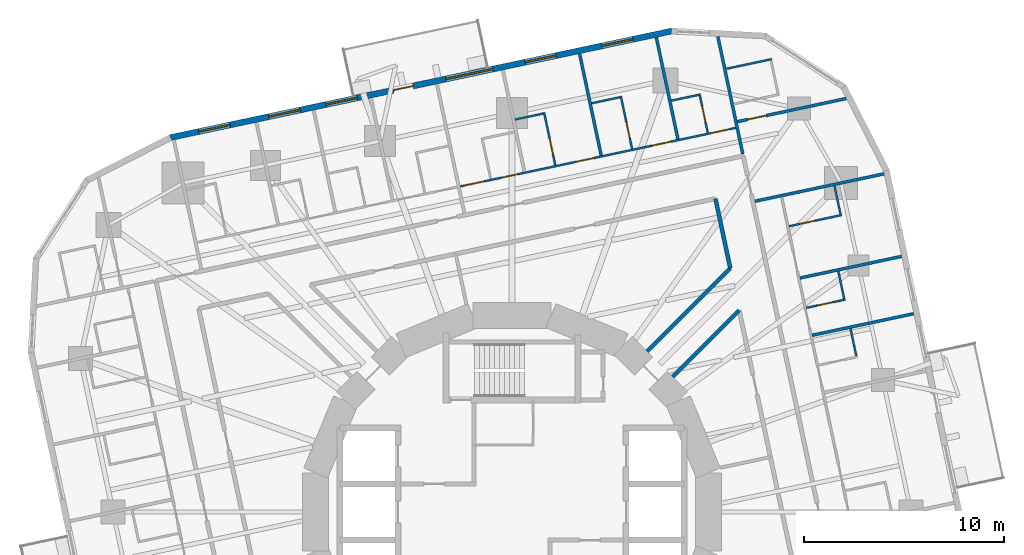
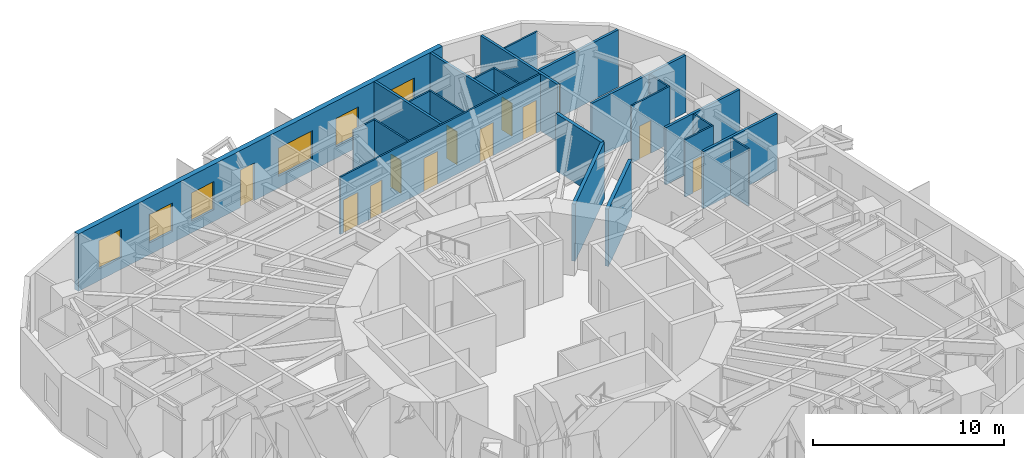
# One storey, part 11 of 14: 24 walls, 12 doors, 6 windows, 18 openings.
"""IFC4 building model written with IfcOpenShell, lengths in metres."""

import ifcopenshell
import ifcopenshell.guid

model = None  # the IFC model being written
_history = None  # IfcOwnerHistory: only IFC2X3 demands one
_inside = {}  # id of a spatial element -> (the spatial element, [elements in it])
_under = {}  # id of a project, library or spatial element -> (it, [spatial elements below it])
_declared = {}  # id of a project -> (the project, [libraries it declares])
_typed = {}  # id of a type object -> (the type object, [elements of that type])
_made_of = {}  # id of a material, layer set ... -> (it, [elements and type objects made of it])


def new_model(schema):
    """Start an empty IFC model of exactly this schema.

    Asked for "IFC4X3", IfcOpenShell would pick the latest addendum, in which some entities
    have other attributes; the version numbers below select the first issue.
    IFC2X3 requires an IfcOwnerHistory on every rooted entity: one is made here for all.
    """
    global model, _history
    if schema == "IFC4X3":
        model = ifcopenshell.file(schema_version=(4, 3, 0, 0))
    else:
        model = ifcopenshell.file(schema=schema)
    _inside.clear()
    _under.clear()
    _declared.clear()
    _typed.clear()
    _made_of.clear()
    _history = None
    if model.schema == "IFC2X3":
        org = make("IfcOrganization", Name="unknown")
        user = make(
            "IfcPersonAndOrganization",
            ThePerson=make("IfcPerson", FamilyName="unknown"),
            TheOrganization=org,
        )
        app = make(
            "IfcApplication",
            ApplicationDeveloper=org,
            Version="unknown",
            ApplicationFullName="unknown",
            ApplicationIdentifier="unknown",
        )
        _history = make(
            "IfcOwnerHistory",
            OwningUser=user,
            OwningApplication=app,
            ChangeAction="ADDED",
            CreationDate=0,
        )
    return model


def make(cls, **values):
    """One entity of the class cls with the attributes given. An attribute that is None is left unset."""
    return model.create_entity(
        cls, **{name: value for name, value in values.items() if value is not None}
    )


def rooted(cls, **values):
    """An entity with a GlobalId (a new one), such as an element, a storey or a relation."""
    return make(cls, GlobalId=ifcopenshell.guid.new(), OwnerHistory=_history, **values)


def si_unit(unit_type, name, prefix=None):
    """IfcSIUnit, for example si_unit("LENGTHUNIT", "METRE", prefix="MILLI")."""
    return make("IfcSIUnit", UnitType=unit_type, Prefix=prefix, Name=name)


def assignment(units):
    """IfcUnitAssignment: the units of a project."""
    return None if units is None else make("IfcUnitAssignment", Units=units)


def point(xyz):
    """IfcCartesianPoint."""
    return None if xyz is None else make("IfcCartesianPoint", Coordinates=xyz)


def direction(xyz):
    """IfcDirection."""
    return None if xyz is None else make("IfcDirection", DirectionRatios=xyz)


def frame(location, z_axis=None, x_axis=None):
    """IfcAxis2Placement3D, a coordinate frame: its origin and axes. An axis left out is left unset."""
    return make(
        "IfcAxis2Placement3D",
        Location=point(location),
        Axis=direction(z_axis),
        RefDirection=direction(x_axis),
    )


def frame_2d(location, x_axis=None):
    """IfcAxis2Placement2D, a coordinate frame in the plane: its origin and x axis."""
    return make(
        "IfcAxis2Placement2D", Location=point(location), RefDirection=direction(x_axis)
    )


def origin():
    """The frame at (0, 0, 0) with its axes left unset."""
    return frame((0.0, 0.0, 0.0))


def place(relative_to, where):
    """IfcLocalPlacement: puts the frame where relative to a parent placement (None: the world)."""
    return make(
        "IfcLocalPlacement", PlacementRelTo=relative_to, RelativePlacement=where
    )


def context(
    kind, dimensions, precision=None, world=None, true_north=None, identifier=None
):
    """IfcGeometricRepresentationContext, for example the 3D "Model" context."""
    return make(
        "IfcGeometricRepresentationContext",
        ContextIdentifier=identifier,
        ContextType=kind,
        CoordinateSpaceDimension=dimensions,
        Precision=precision,
        WorldCoordinateSystem=world,
        TrueNorth=true_north,
    )


def subcontext(parent, identifier, kind, view, scale=None):
    """IfcGeometricRepresentationSubContext, for example "Body" below "Model"."""
    return make(
        "IfcGeometricRepresentationSubContext",
        ContextIdentifier=identifier,
        ContextType=kind,
        ParentContext=parent,
        TargetScale=scale,
        TargetView=view,
    )


def project(units=None, contexts=None):
    """IfcProject with its units and contexts."""
    return rooted(
        "IfcProject",
        Name="project",
        RepresentationContexts=contexts,
        UnitsInContext=assignment(units),
    )


def spatial(cls, under=None, at=None, **own):
    """A site, building, storey or space (cls), placed at a placement, below another one or the project."""
    s = rooted(cls, ObjectPlacement=at, **own)
    if under is not None:
        _under.setdefault(under.id(), (under, []))[1].append(s)
    return s


def profile(cls, at=None, kind="AREA", **sizes):
    """A parametric profile (cls). Its sizes go by their IFC names, for example OverallWidth=200.0."""
    return make(cls, ProfileType=kind, Position=at, **sizes)


def rectangle(**sizes):
    """IfcRectangleProfileDef."""
    return profile("IfcRectangleProfileDef", **sizes)


def extrude(swept, where, along, depth):
    """IfcExtrudedAreaSolid: the profile swept, set in the frame where, extruded along a direction by depth."""
    return make(
        "IfcExtrudedAreaSolid",
        SweptArea=swept,
        Position=where,
        ExtrudedDirection=direction(along),
        Depth=depth,
    )


def shape(context_of_items, identifier, shape_type, items):
    """IfcShapeRepresentation: the items that make up one representation, for example the "Body"."""
    return make(
        "IfcShapeRepresentation",
        ContextOfItems=context_of_items,
        RepresentationIdentifier=identifier,
        RepresentationType=shape_type,
        Items=items,
    )


def material(Name=None, Category=None):
    """IfcMaterial."""
    return make("IfcMaterial", Name=Name, Category=Category)


def layer(
    of_material, thickness, ventilated=None, Name=None, Category=None, Priority=None
):
    """IfcMaterialLayer: one layer of a wall or slab, of a material (None: an air gap)."""
    return make(
        "IfcMaterialLayer",
        Material=of_material,
        LayerThickness=thickness,
        IsVentilated=ventilated,
        Name=Name,
        Category=Category,
        Priority=Priority,
    )


def layer_set(layers, Name=None):
    """IfcMaterialLayerSet."""
    return make("IfcMaterialLayerSet", MaterialLayers=layers, LayerSetName=Name)


def made_of(thing, what):
    """Note that an element or type object is made of a material, layer set ...; save() writes the relation."""
    if what is not None:
        _made_of.setdefault(what.id(), (what, []))[1].append(thing)
    return thing


def type_object(cls, material=None, **own):
    """A type object (cls), such as IfcWallType, which elements share."""
    return made_of(rooted(cls, **own), material)


def element(
    cls,
    number,
    at=None,
    inside=None,
    cuts=None,
    type_object=None,
    material=None,
    context=None,
    identifier="Body",
    shape_type=None,
    held_by="IfcProductDefinitionShape",
    body=None,
    shapes=None,
    **own,
):
    """One element of the class cls, such as IfcWall. Its Tag is "e" and its number.

    at: its placement. inside: the storey or other place that contains it. cuts: it is an
    opening in that element (IfcRelVoidsElement). A single representation is given by context,
    identifier, shape_type and body (its items); several are given by shapes. held_by: the class
    of the entity that holds the representations. save() writes the other relations.
    """
    e = rooted(cls, Tag="e%d" % number, ObjectPlacement=at, **own)
    if body is not None:
        shapes = [shape(context, identifier, shape_type, body)]
    if shapes is not None:
        e.Representation = make(held_by, Representations=shapes)
    if inside is not None:
        _inside.setdefault(inside.id(), (inside, []))[1].append(e)
    if cuts is not None:
        rooted(
            "IfcRelVoidsElement", RelatingBuildingElement=cuts, RelatedOpeningElement=e
        )
    if type_object is not None:
        _typed.setdefault(type_object.id(), (type_object, []))[1].append(e)
    return made_of(e, material)


def fill(opening, filler):
    """IfcRelFillsElement: the door or window that sits in an opening."""
    return rooted(
        "IfcRelFillsElement",
        RelatingOpeningElement=opening,
        RelatedBuildingElement=filler,
    )


def aggregate(whole, parts):
    """IfcRelAggregates: a whole, such as a stair, and the parts it consists of."""
    return rooted("IfcRelAggregates", RelatingObject=whole, RelatedObjects=parts)


def save(model, path):
    """Write the relations noted so far, then the file.

    IfcRelAggregates (storeys below a building ...), IfcRelContainedInSpatialStructure (elements
    in a storey), IfcRelDefinesByType, IfcRelAssociatesMaterial and IfcRelDeclares: one each for
    every whole, place, type object, material and project.
    """
    for whole, parts in _under.values():
        aggregate(whole, parts)
    for where, things in _inside.values():
        rooted(
            "IfcRelContainedInSpatialStructure",
            RelatedElements=things,
            RelatingStructure=where,
        )
    for kind, things in _typed.values():
        rooted("IfcRelDefinesByType", RelatedObjects=things, RelatingType=kind)
    for what, things in _made_of.values():
        rooted("IfcRelAssociatesMaterial", RelatedObjects=things, RelatingMaterial=what)
    for by, libraries in _declared.values():
        rooted("IfcRelDeclares", RelatingContext=by, RelatedDefinitions=libraries)
    model.write(path)


model = new_model("IFC4")

# Units and contexts
model_context = context("Model", 3, precision=1e-05, world=origin(), true_north=direction((0.0, 1.0)))
body_context = subcontext(model_context, "Body", "Model", "MODEL_VIEW")
ifc_project = project(units=[si_unit("LENGTHUNIT", "METRE"), si_unit("AREAUNIT", "SQUARE_METRE"), si_unit("VOLUMEUNIT", "CUBIC_METRE"), si_unit("PLANEANGLEUNIT", "RADIAN"), si_unit("MASSUNIT", "GRAM", prefix="KILO")], contexts=[model_context])

# Site, building, storey
site_placement = place(None, origin())
site = spatial("IfcSite", under=ifc_project, at=site_placement, CompositionType="ELEMENT")
building_placement = place(site_placement, origin())
building = spatial("IfcBuilding", under=site, at=building_placement, Name="Nakasero Lantern House", CompositionType="ELEMENT")
storey_placement = place(building_placement, frame((0.0, 0.0, 108.85009765625)))
storey = spatial("IfcBuildingStorey", under=building, at=storey_placement, Name="L26", CompositionType="ELEMENT", Elevation=108.85009765625)

# Wall, openings, doors
ifc_material_1 = material(Name="Blockwork", Category="masonry")
ifc_layer_1 = layer(ifc_material_1, 0.10009765625)
ifc_layer_set_1 = layer_set([ifc_layer_1], Name="Cluster hall wall 100")
wall_type_1 = type_object("IfcWallType", Name="Cluster hall wall 100", PredefinedType="PARTITIONING", material=ifc_layer_set_1)
wall_1_placement = place(storey_placement, frame((11.1787109375, 19.193603515625, 0.0), z_axis=(0.0, 0.0, 1.0), x_axis=(-0.978149106543, -0.207904606415, 0.0)))
wall_1 = element("IfcWall", 1, at=wall_1_placement, inside=storey, type_object=wall_type_1, Name="Cluster hall wall L26 HW1-0", PredefinedType="PARTITIONING", context=body_context, shape_type="SweptSolid", body=[
    extrude(rectangle(XDim=14.073974609375, YDim=0.10009765625, at=frame_2d((7.037109375, 0.0))), origin(), (0.0, 0.0, 1.0), 3.64990234375),
])
opening_1_placement = place(wall_1_placement, frame((12.848876953125, 0.0, 0.0)))
opening_1 = element("IfcOpeningElement", 2, at=opening_1_placement, cuts=wall_1, Name="Opening D03", PredefinedType="OPENING", context=body_context, shape_type="SweptSolid", body=[
    extrude(rectangle(XDim=1.0, YDim=2.10009765625, at=frame_2d((0.5, 1.050048828125))), frame((0.0, 0.070068359375, 0.0), z_axis=(0.0, -1.0, 0.0), x_axis=(1.0, 0.0, 0.0)), (0.0, 0.0, 1.0), 0.14013671875),
])
opening_2_placement = place(wall_1_placement, frame((11.155029296875, 0.0, 0.0)))
opening_2 = element("IfcOpeningElement", 3, at=opening_2_placement, cuts=wall_1, Name="Opening D02", PredefinedType="OPENING", context=body_context, shape_type="SweptSolid", body=[
    extrude(rectangle(XDim=0.800048828125, YDim=2.10009765625, at=frame_2d((0.39990234375, 1.050048828125))), frame((0.0, 0.070068359375, 0.0), z_axis=(0.0, -1.0, 0.0), x_axis=(1.0, 0.0, 0.0)), (0.0, 0.0, 1.0), 0.14013671875),
])
opening_3_placement = place(wall_1_placement, frame((0.300048828125, 0.0, 0.0)))
opening_3 = element("IfcOpeningElement", 4, at=opening_3_placement, cuts=wall_1, Name="Opening D01", PredefinedType="OPENING", context=body_context, shape_type="SweptSolid", body=[
    extrude(rectangle(XDim=0.949951171875, YDim=2.10009765625, at=frame_2d((0.47509765625, 1.050048828125))), frame((0.0, 0.070068359375, 0.0), z_axis=(0.0, -1.0, 0.0), x_axis=(1.0, 0.0, 0.0)), (0.0, 0.0, 1.0), 0.14013671875),
])
opening_4_placement = place(wall_1_placement, frame((3.316162109375, 0.0, 0.0)))
opening_4 = element("IfcOpeningElement", 5, at=opening_4_placement, cuts=wall_1, Name="Opening D01", PredefinedType="OPENING", context=body_context, shape_type="SweptSolid", body=[
    extrude(rectangle(XDim=0.949951171875, YDim=2.10009765625, at=frame_2d((0.47509765625, 1.050048828125))), frame((0.0, 0.070068359375, 0.0), z_axis=(0.0, -1.0, 0.0), x_axis=(1.0, 0.0, 0.0)), (0.0, 0.0, 1.0), 0.14013671875),
])
opening_5_placement = place(wall_1_placement, frame((7.235595703125, 0.0, 0.0)))
opening_5 = element("IfcOpeningElement", 6, at=opening_5_placement, cuts=wall_1, Name="Opening D01", PredefinedType="OPENING", context=body_context, shape_type="SweptSolid", body=[
    extrude(rectangle(XDim=0.949951171875, YDim=2.10009765625, at=frame_2d((0.47509765625, 1.050048828125))), frame((0.0, 0.070068359375, 0.0), z_axis=(0.0, -1.0, 0.0), x_axis=(1.0, 0.0, 0.0)), (0.0, 0.0, 1.0), 0.14013671875),
])
ifc_material_2 = material(Name="Timber C24", Category="wood")
door_type_1 = type_object("IfcDoorType", Name="Bedroom door FD30S 950", OperationType="SINGLE_SWING_LEFT", PredefinedType="DOOR", material=ifc_material_2)
door_1_placement = place(opening_3_placement, origin())
door_1 = element("IfcDoor", 7, at=door_1_placement, inside=storey, type_object=door_type_1, Name="Door L26 D1-00", OperationType="SINGLE_SWING_LEFT", OverallHeight=2.10009765625, OverallWidth=0.949951171875, PredefinedType="DOOR", context=body_context, shape_type="SweptSolid", body=[
    extrude(rectangle(XDim=0.949951171875, YDim=2.10009765625, at=frame_2d((0.47509765625, 1.050048828125))), frame((0.0, 0.02490234375, 0.0), z_axis=(0.0, -1.0, 0.0), x_axis=(1.0, 0.0, 0.0)), (0.0, 0.0, 1.0), 0.050048828125),
])
fill(opening_3, door_1)
door_2_placement = place(opening_4_placement, origin())
door_2 = element("IfcDoor", 8, at=door_2_placement, inside=storey, type_object=door_type_1, Name="Door L26 D1-01", OperationType="SINGLE_SWING_LEFT", OverallHeight=2.10009765625, OverallWidth=0.949951171875, PredefinedType="DOOR", context=body_context, shape_type="SweptSolid", body=[
    extrude(rectangle(XDim=0.949951171875, YDim=2.10009765625, at=frame_2d((0.47509765625, 1.050048828125))), frame((0.0, 0.02490234375, 0.0), z_axis=(0.0, -1.0, 0.0), x_axis=(1.0, 0.0, 0.0)), (0.0, 0.0, 1.0), 0.050048828125),
])
fill(opening_4, door_2)
door_3_placement = place(opening_5_placement, origin())
door_3 = element("IfcDoor", 9, at=door_3_placement, inside=storey, type_object=door_type_1, Name="Door L26 D1-02", OperationType="SINGLE_SWING_RIGHT", OverallHeight=2.10009765625, OverallWidth=0.949951171875, PredefinedType="DOOR", context=body_context, shape_type="SweptSolid", body=[
    extrude(rectangle(XDim=0.949951171875, YDim=2.10009765625, at=frame_2d((0.47509765625, 1.050048828125))), frame((0.0, 0.02490234375, 0.0), z_axis=(0.0, -1.0, 0.0), x_axis=(1.0, 0.0, 0.0)), (0.0, 0.0, 1.0), 0.050048828125),
])
fill(opening_5, door_3)
ifc_material_3 = material(Name="Timber C24", Category="wood")
door_type_2 = type_object("IfcDoorType", Name="En-suite door 800", OperationType="SINGLE_SWING_RIGHT", PredefinedType="DOOR", material=ifc_material_3)
door_4_placement = place(opening_2_placement, origin())
door_4 = element("IfcDoor", 10, at=door_4_placement, inside=storey, type_object=door_type_2, Name="Door L26 DSH1-0", OperationType="SINGLE_SWING_RIGHT", OverallHeight=2.10009765625, OverallWidth=0.800048828125, PredefinedType="DOOR", context=body_context, shape_type="SweptSolid", body=[
    extrude(rectangle(XDim=0.800048828125, YDim=2.10009765625, at=frame_2d((0.39990234375, 1.050048828125))), frame((0.0, 0.02490234375, 0.0), z_axis=(0.0, -1.0, 0.0), x_axis=(1.0, 0.0, 0.0)), (0.0, 0.0, 1.0), 0.050048828125),
])
fill(opening_2, door_4)
ifc_material_4 = material(Name="Timber C24", Category="wood")
door_type_3 = type_object("IfcDoorType", Name="Lounge door FD30S 1000", OperationType="SINGLE_SWING_LEFT", PredefinedType="DOOR", material=ifc_material_4)
door_5_placement = place(opening_1_placement, origin())
door_5 = element("IfcDoor", 11, at=door_5_placement, inside=storey, type_object=door_type_3, Name="Door L26 DH1-0", OperationType="SINGLE_SWING_RIGHT", OverallHeight=2.10009765625, OverallWidth=1.0, PredefinedType="DOOR", context=body_context, shape_type="SweptSolid", body=[
    extrude(rectangle(XDim=1.0, YDim=2.10009765625, at=frame_2d((0.5, 1.050048828125))), frame((0.0, 0.02490234375, 0.0), z_axis=(0.0, -1.0, 0.0), x_axis=(1.0, 0.0, 0.0)), (0.0, 0.0, 1.0), 0.050048828125),
])
fill(opening_1, door_5)

# Walls
ifc_material_5 = material(Name="Blockwork", Category="masonry")
ifc_layer_2 = layer(ifc_material_5, 0.199951171875)
ifc_layer_set_2 = layer_set([ifc_layer_2], Name="Corridor wall 200")
wall_type_2 = type_object("IfcWallType", Name="Corridor wall 200", PredefinedType="PARTITIONING", material=ifc_layer_set_2)
wall_2_placement = place(storey_placement, frame((10.90625, 12.178955078125, 0.0), z_axis=(0.0, 0.0, 1.0), x_axis=(-0.207962251708, 0.978136852319, 0.0)))
element("IfcWall", 12, at=wall_2_placement, inside=storey, type_object=wall_type_2, Name="Corridor wall L26 IW0-1", PredefinedType="PARTITIONING", context=body_context, shape_type="SweptSolid", body=[
    extrude(rectangle(XDim=3.5546875, YDim=0.199951171875, at=frame_2d((1.77734375, 0.0))), origin(), (0.0, 0.0, 1.0), 3.64990234375),
])
wall_3_placement = place(storey_placement, frame((6.758544921875, 8.03125, 0.0), z_axis=(0.0, 0.0, 1.0), x_axis=(0.707106781187, 0.707106781187, 0.0)))
element("IfcWall", 13, at=wall_3_placement, inside=storey, type_object=wall_type_2, Name="Corridor wall L26 PS02a", PredefinedType="PARTITIONING", context=body_context, shape_type="SweptSolid", body=[
    extrude(rectangle(XDim=5.86572265625, YDim=0.199951171875, at=frame_2d((2.932861328125, 0.0))), origin(), (0.0, 0.0, 1.0), 3.64990234375),
])
wall_4_placement = place(storey_placement, frame((8.03125, 6.758544921875, 0.0), z_axis=(0.0, 0.0, 1.0), x_axis=(0.707106781187, 0.707106781187, 0.0)))
element("IfcWall", 14, at=wall_4_placement, inside=storey, type_object=wall_type_2, Name="Corridor wall L26 PS02b", PredefinedType="PARTITIONING", context=body_context, shape_type="SweptSolid", body=[
    extrude(rectangle(XDim=4.69677734375, YDim=0.199951171875, at=frame_2d((2.348388671875, 0.0))), origin(), (0.0, 0.0, 1.0), 3.64990234375),
])
ifc_material_6 = material(Name="Blockwork", Category="masonry")
ifc_layer_3 = layer(ifc_material_6, 0.10009765625)
ifc_layer_set_3 = layer_set([ifc_layer_3], Name="En-suite wall 100")
wall_type_3 = type_object("IfcWallType", Name="En-suite wall 100", PredefinedType="PARTITIONING", material=ifc_layer_set_3)
wall_5_placement = place(storey_placement, frame((17.2060546875, 7.79150390625, 0.0), z_axis=(0.0, 0.0, 1.0), x_axis=(-0.207873355681, 0.978155748334, 0.0)))
element("IfcWall", 15, at=wall_5_placement, inside=storey, type_object=wall_type_3, Name="En-suite wall L26 EE0-05", PredefinedType="PARTITIONING", context=body_context, shape_type="SweptSolid", body=[
    extrude(rectangle(XDim=1.39990234375, YDim=0.10009765625, at=frame_2d((0.699951171875, 0.0))), origin(), (0.0, 0.0, 1.0), 3.64990234375),
])

# Wall, opening, door
wall_6_placement = place(storey_placement, frame((14.70068359375, 10.19970703125, 0.0), z_axis=(0.0, 0.0, 1.0), x_axis=(0.978152955943, 0.207886494942, 0.0)))
wall_6 = element("IfcWall", 16, at=wall_6_placement, inside=storey, type_object=wall_type_3, Name="En-suite wall L26 ES0-06", PredefinedType="PARTITIONING", context=body_context, shape_type="SweptSolid", body=[
    extrude(rectangle(XDim=2.0, YDim=0.10009765625, at=frame_2d((1.0, 0.0))), origin(), (0.0, 0.0, 1.0), 3.64990234375),
])
opening_6_placement = place(wall_6_placement, frame((0.550048828125, 0.0, 0.0)))
opening_6 = element("IfcOpeningElement", 17, at=opening_6_placement, cuts=wall_6, Name="Opening D02", PredefinedType="OPENING", context=body_context, shape_type="SweptSolid", body=[
    extrude(rectangle(XDim=0.800048828125, YDim=2.10009765625, at=frame_2d((0.39990234375, 1.050048828125))), frame((0.0, 0.070068359375, 0.0), z_axis=(0.0, -1.0, 0.0), x_axis=(1.0, 0.0, 0.0)), (0.0, 0.0, 1.0), 0.14013671875),
])
door_6_placement = place(opening_6_placement, origin())
door_6 = element("IfcDoor", 18, at=door_6_placement, inside=storey, type_object=door_type_2, Name="Door L26 DE0-06", OperationType="SINGLE_SWING_LEFT", OverallHeight=2.10009765625, OverallWidth=0.800048828125, PredefinedType="DOOR", context=body_context, shape_type="SweptSolid", body=[
    extrude(rectangle(XDim=0.800048828125, YDim=2.10009765625, at=frame_2d((0.39990234375, 1.050048828125))), frame((0.0, 0.02490234375, 0.0), z_axis=(0.0, -1.0, 0.0), x_axis=(1.0, 0.0, 0.0)), (0.0, 0.0, 1.0), 0.050048828125),
])
fill(opening_6, door_6)

# Wall
wall_7_placement = place(storey_placement, frame((16.59765625, 10.654052734375, 0.0), z_axis=(0.0, 0.0, 1.0), x_axis=(-0.207873355681, 0.978155748334, 0.0)))
element("IfcWall", 19, at=wall_7_placement, inside=storey, type_object=wall_type_3, Name="En-suite wall L26 EE0-06", PredefinedType="PARTITIONING", context=body_context, shape_type="SweptSolid", body=[
    extrude(rectangle(XDim=1.39990234375, YDim=0.10009765625, at=frame_2d((0.699951171875, 0.0))), origin(), (0.0, 0.0, 1.0), 3.64990234375),
])

# Wall, opening, door
wall_8_placement = place(storey_placement, frame((13.833984375, 14.276611328125, 0.0), z_axis=(0.0, 0.0, 1.0), x_axis=(0.978137244908, 0.207960405185, 0.0)))
wall_8 = element("IfcWall", 20, at=wall_8_placement, inside=storey, type_object=wall_type_3, Name="En-suite wall L26 ES0-07", PredefinedType="PARTITIONING", context=body_context, shape_type="SweptSolid", body=[
    extrude(rectangle(XDim=2.7001953125, YDim=0.10009765625, at=frame_2d((1.35009765625, 0.0))), origin(), (0.0, 0.0, 1.0), 3.64990234375),
])
opening_7_placement = place(wall_8_placement, frame((0.550048828125, 0.0, 0.0)))
opening_7 = element("IfcOpeningElement", 21, at=opening_7_placement, cuts=wall_8, Name="Opening D02", PredefinedType="OPENING", context=body_context, shape_type="SweptSolid", body=[
    extrude(rectangle(XDim=0.800048828125, YDim=2.10009765625, at=frame_2d((0.39990234375, 1.050048828125))), frame((0.0, 0.070068359375, 0.0), z_axis=(0.0, -1.0, 0.0), x_axis=(1.0, 0.0, 0.0)), (0.0, 0.0, 1.0), 0.14013671875),
])
door_7_placement = place(opening_7_placement, origin())
door_7 = element("IfcDoor", 22, at=door_7_placement, inside=storey, type_object=door_type_2, Name="Door L26 DE0-07", OperationType="SINGLE_SWING_LEFT", OverallHeight=2.10009765625, OverallWidth=0.800048828125, PredefinedType="DOOR", context=body_context, shape_type="SweptSolid", body=[
    extrude(rectangle(XDim=0.800048828125, YDim=2.10009765625, at=frame_2d((0.39990234375, 1.050048828125))), frame((0.0, 0.02490234375, 0.0), z_axis=(0.0, -1.0, 0.0), x_axis=(1.0, 0.0, 0.0)), (0.0, 0.0, 1.0), 0.050048828125),
])
fill(opening_7, door_7)

# Walls
wall_9_placement = place(storey_placement, frame((16.415771484375, 14.87646484375, 0.0), z_axis=(0.0, 0.0, 1.0), x_axis=(-0.207919161079, 0.978146012851, 0.0)))
element("IfcWall", 23, at=wall_9_placement, inside=storey, type_object=wall_type_3, Name="En-suite wall L26 EE0-07", PredefinedType="PARTITIONING", context=body_context, shape_type="SweptSolid", body=[
    extrude(rectangle(XDim=1.4501953125, YDim=0.10009765625, at=frame_2d((0.72509765625, 0.0))), origin(), (0.0, 0.0, 1.0), 3.64990234375),
])
wall_10_placement = place(storey_placement, frame((10.72900390625, 22.150634765625, 0.0), z_axis=(0.0, 0.0, 1.0), x_axis=(0.978162897375, 0.207839712757, 0.0)))
element("IfcWall", 24, at=wall_10_placement, inside=storey, type_object=wall_type_3, Name="En-suite wall L26 EV0-08", PredefinedType="PARTITIONING", context=body_context, shape_type="SweptSolid", body=[
    extrude(rectangle(XDim=2.300048828125, YDim=0.10009765625, at=frame_2d((1.14990234375, 0.0))), origin(), (0.0, 0.0, 1.0), 3.64990234375),
])

# Wall, opening, door
wall_11_placement = place(storey_placement, frame((9.783203125, 18.947998046875, 0.0), z_axis=(0.0, 0.0, 1.0), x_axis=(-0.208003285743, 0.978128127149, 0.0)))
wall_11 = element("IfcWall", 25, at=wall_11_placement, inside=storey, type_object=wall_type_3, Name="En-suite wall L26 ES1-00", PredefinedType="PARTITIONING", context=body_context, shape_type="SweptSolid", body=[
    extrude(rectangle(XDim=2.0, YDim=0.10009765625, at=frame_2d((1.0, 0.0))), origin(), (0.0, 0.0, 1.0), 3.64990234375),
])
opening_8_placement = place(wall_11_placement, frame((0.550048828125, 0.0, 0.0)))
opening_8 = element("IfcOpeningElement", 26, at=opening_8_placement, cuts=wall_11, Name="Opening D02", PredefinedType="OPENING", context=body_context, shape_type="SweptSolid", body=[
    extrude(rectangle(XDim=0.800048828125, YDim=2.10009765625, at=frame_2d((0.39990234375, 1.050048828125))), frame((0.0, 0.070068359375, 0.0), z_axis=(0.0, -1.0, 0.0), x_axis=(1.0, 0.0, 0.0)), (0.0, 0.0, 1.0), 0.14013671875),
])
door_8_placement = place(opening_8_placement, origin())
door_8 = element("IfcDoor", 27, at=door_8_placement, inside=storey, type_object=door_type_2, Name="Door L26 DE1-00", OperationType="SINGLE_SWING_LEFT", OverallHeight=2.10009765625, OverallWidth=0.800048828125, PredefinedType="DOOR", context=body_context, shape_type="SweptSolid", body=[
    extrude(rectangle(XDim=0.800048828125, YDim=2.10009765625, at=frame_2d((0.39990234375, 1.050048828125))), frame((0.0, 0.02490234375, 0.0), z_axis=(0.0, -1.0, 0.0), x_axis=(1.0, 0.0, 0.0)), (0.0, 0.0, 1.0), 0.050048828125),
])
fill(opening_8, door_8)

# Wall
wall_12_placement = place(storey_placement, frame((9.328857421875, 20.844970703125, 0.0), z_axis=(0.0, 0.0, 1.0), x_axis=(-0.978155748334, -0.207873355681, 0.0)))
element("IfcWall", 28, at=wall_12_placement, inside=storey, type_object=wall_type_3, Name="En-suite wall L26 EE1-00", PredefinedType="PARTITIONING", context=body_context, shape_type="SweptSolid", body=[
    extrude(rectangle(XDim=1.39990234375, YDim=0.10009765625, at=frame_2d((0.699951171875, 0.0))), origin(), (0.0, 0.0, 1.0), 3.64990234375),
])

# Wall, opening, door
wall_13_placement = place(storey_placement, frame((5.998291015625, 18.1435546875, 0.0), z_axis=(0.0, 0.0, 1.0), x_axis=(-0.207960405185, 0.978137244908, 0.0)))
wall_13 = element("IfcWall", 29, at=wall_13_placement, inside=storey, type_object=wall_type_3, Name="En-suite wall L26 ES1-01", PredefinedType="PARTITIONING", context=body_context, shape_type="SweptSolid", body=[
    extrude(rectangle(XDim=2.7001953125, YDim=0.10009765625, at=frame_2d((1.35009765625, 0.0))), origin(), (0.0, 0.0, 1.0), 3.64990234375),
])
opening_9_placement = place(wall_13_placement, frame((0.550048828125, 0.0, 0.0)))
opening_9 = element("IfcOpeningElement", 30, at=opening_9_placement, cuts=wall_13, Name="Opening D02", PredefinedType="OPENING", context=body_context, shape_type="SweptSolid", body=[
    extrude(rectangle(XDim=0.800048828125, YDim=2.10009765625, at=frame_2d((0.39990234375, 1.050048828125))), frame((0.0, 0.070068359375, 0.0), z_axis=(0.0, -1.0, 0.0), x_axis=(1.0, 0.0, 0.0)), (0.0, 0.0, 1.0), 0.14013671875),
])
door_9_placement = place(opening_9_placement, origin())
door_9 = element("IfcDoor", 31, at=door_9_placement, inside=storey, type_object=door_type_2, Name="Door L26 DE1-01", OperationType="SINGLE_SWING_LEFT", OverallHeight=2.10009765625, OverallWidth=0.800048828125, PredefinedType="DOOR", context=body_context, shape_type="SweptSolid", body=[
    extrude(rectangle(XDim=0.800048828125, YDim=2.10009765625, at=frame_2d((0.39990234375, 1.050048828125))), frame((0.0, 0.02490234375, 0.0), z_axis=(0.0, -1.0, 0.0), x_axis=(1.0, 0.0, 0.0)), (0.0, 0.0, 1.0), 0.050048828125),
])
fill(opening_9, door_9)

# Wall
wall_14_placement = place(storey_placement, frame((5.398193359375, 20.725341796875, 0.0), z_axis=(0.0, 0.0, 1.0), x_axis=(-0.978138732977, -0.207953405961, 0.0)))
element("IfcWall", 32, at=wall_14_placement, inside=storey, type_object=wall_type_3, Name="En-suite wall L26 EE1-01", PredefinedType="PARTITIONING", context=body_context, shape_type="SweptSolid", body=[
    extrude(rectangle(XDim=1.449951171875, YDim=0.10009765625, at=frame_2d((0.72509765625, 0.0))), origin(), (0.0, 0.0, 1.0), 3.64990234375),
])

# Wall, opening, door
wall_15_placement = place(storey_placement, frame((2.164306640625, 17.32861328125, 0.0), z_axis=(0.0, 0.0, 1.0), x_axis=(-0.207873895514, 0.97815563361, 0.0)))
wall_15 = element("IfcWall", 33, at=wall_15_placement, inside=storey, type_object=wall_type_3, Name="En-suite wall L26 ES1-02", PredefinedType="PARTITIONING", context=body_context, shape_type="SweptSolid", body=[
    extrude(rectangle(XDim=2.7001953125, YDim=0.10009765625, at=frame_2d((1.35009765625, 0.0))), origin(), (0.0, 0.0, 1.0), 3.64990234375),
])
opening_10_placement = place(wall_15_placement, frame((0.550048828125, 0.0, 0.0)))
opening_10 = element("IfcOpeningElement", 34, at=opening_10_placement, cuts=wall_15, Name="Opening D02", PredefinedType="OPENING", context=body_context, shape_type="SweptSolid", body=[
    extrude(rectangle(XDim=0.800048828125, YDim=2.10009765625, at=frame_2d((0.39990234375, 1.050048828125))), frame((0.0, 0.070068359375, 0.0), z_axis=(0.0, -1.0, 0.0), x_axis=(1.0, 0.0, 0.0)), (0.0, 0.0, 1.0), 0.14013671875),
])
door_10_placement = place(opening_10_placement, origin())
door_10 = element("IfcDoor", 35, at=door_10_placement, inside=storey, type_object=door_type_2, Name="Door L26 DE1-02", OperationType="SINGLE_SWING_LEFT", OverallHeight=2.10009765625, OverallWidth=0.800048828125, PredefinedType="DOOR", context=body_context, shape_type="SweptSolid", body=[
    extrude(rectangle(XDim=0.800048828125, YDim=2.10009765625, at=frame_2d((0.39990234375, 1.050048828125))), frame((0.0, 0.02490234375, 0.0), z_axis=(0.0, -1.0, 0.0), x_axis=(1.0, 0.0, 0.0)), (0.0, 0.0, 1.0), 0.050048828125),
])
fill(opening_10, door_10)

# Wall
wall_16_placement = place(storey_placement, frame((1.564453125, 19.910400390625, 0.0), z_axis=(0.0, 0.0, 1.0), x_axis=(-0.978138732977, -0.207953405961, 0.0)))
element("IfcWall", 36, at=wall_16_placement, inside=storey, type_object=wall_type_3, Name="En-suite wall L26 EE1-02", PredefinedType="PARTITIONING", context=body_context, shape_type="SweptSolid", body=[
    extrude(rectangle(XDim=1.449951171875, YDim=0.10009765625, at=frame_2d((0.72509765625, 0.0))), origin(), (0.0, 0.0, 1.0), 3.64990234375),
])

# Wall, openings, door, windows
ifc_material_7 = material(Name="Aluminium rainscreen on blockwork", Category="masonry")
ifc_layer_4 = layer(ifc_material_7, 0.300048828125)
ifc_layer_set_4 = layer_set([ifc_layer_4], Name="Facade wall 300")
wall_type_4 = type_object("IfcWallType", Name="Facade wall 300", PredefinedType="SOLIDWALL", material=ifc_layer_set_4)
wall_17_placement = place(storey_placement, frame((7.9775390625, 24.03369140625, 0.0), z_axis=(0.0, 0.0, 1.0), x_axis=(-0.978148160964, -0.207909055127, 0.0)))
wall_17 = element("IfcWall", 37, at=wall_17_placement, inside=storey, type_object=wall_type_4, Name="Facade wall L26 FW1S", PredefinedType="SOLIDWALL", context=body_context, shape_type="SweptSolid", body=[
    extrude(rectangle(XDim=25.60009765625, YDim=0.300048828125, at=frame_2d((12.800048828125, 0.0))), origin(), (0.0, 0.0, 1.0), 3.64990234375),
])
opening_11_placement = place(wall_17_placement, frame((1.975830078125, 0.0, 0.75)))
opening_11 = element("IfcOpeningElement", 38, at=opening_11_placement, cuts=wall_17, Name="Opening W01", PredefinedType="OPENING", context=body_context, shape_type="SweptSolid", body=[
    extrude(rectangle(XDim=1.60009765625, YDim=1.800048828125, at=frame_2d((0.800048828125, 0.89990234375))), frame((0.0, 0.169921875, 0.0), z_axis=(0.0, -1.0, 0.0), x_axis=(1.0, 0.0, 0.0)), (0.0, 0.0, 1.0), 0.340087890625),
])
opening_12_placement = place(wall_17_placement, frame((5.8955078125, 0.0, 0.75)))
opening_12 = element("IfcOpeningElement", 39, at=opening_12_placement, cuts=wall_17, Name="Opening W01", PredefinedType="OPENING", context=body_context, shape_type="SweptSolid", body=[
    extrude(rectangle(XDim=1.60009765625, YDim=1.800048828125, at=frame_2d((0.800048828125, 0.89990234375))), frame((0.0, 0.169921875, 0.0), z_axis=(0.0, -1.0, 0.0), x_axis=(1.0, 0.0, 0.0)), (0.0, 0.0, 1.0), 0.340087890625),
])
opening_13_placement = place(wall_17_placement, frame((16.0556640625, 0.0, 0.75)))
opening_13 = element("IfcOpeningElement", 40, at=opening_13_placement, cuts=wall_17, Name="Opening W01", PredefinedType="OPENING", context=body_context, shape_type="SweptSolid", body=[
    extrude(rectangle(XDim=1.60009765625, YDim=1.800048828125, at=frame_2d((0.800048828125, 0.89990234375))), frame((0.0, 0.169921875, 0.0), z_axis=(0.0, -1.0, 0.0), x_axis=(1.0, 0.0, 0.0)), (0.0, 0.0, 1.0), 0.340087890625),
])
opening_14_placement = place(wall_17_placement, frame((18.982177734375, 0.0, 0.75)))
opening_14 = element("IfcOpeningElement", 41, at=opening_14_placement, cuts=wall_17, Name="Opening W01", PredefinedType="OPENING", context=body_context, shape_type="SweptSolid", body=[
    extrude(rectangle(XDim=1.60009765625, YDim=1.800048828125, at=frame_2d((0.800048828125, 0.89990234375))), frame((0.0, 0.169921875, 0.0), z_axis=(0.0, -1.0, 0.0), x_axis=(1.0, 0.0, 0.0)), (0.0, 0.0, 1.0), 0.340087890625),
])
opening_15_placement = place(wall_17_placement, frame((22.554443359375, 0.0, 0.75)))
opening_15 = element("IfcOpeningElement", 42, at=opening_15_placement, cuts=wall_17, Name="Opening W01", PredefinedType="OPENING", context=body_context, shape_type="SweptSolid", body=[
    extrude(rectangle(XDim=1.60009765625, YDim=1.800048828125, at=frame_2d((0.800048828125, 0.89990234375))), frame((0.0, 0.169921875, 0.0), z_axis=(0.0, -1.0, 0.0), x_axis=(1.0, 0.0, 0.0)), (0.0, 0.0, 1.0), 0.340087890625),
])
opening_16_placement = place(wall_17_placement, frame((9.139404296875, 0.0, 0.75)))
opening_16 = element("IfcOpeningElement", 43, at=opening_16_placement, cuts=wall_17, Name="Opening W03", PredefinedType="OPENING", context=body_context, shape_type="SweptSolid", body=[
    extrude(rectangle(XDim=2.39990234375, YDim=1.800048828125, at=frame_2d((1.199951171875, 0.89990234375))), frame((0.0, 0.169921875, 0.0), z_axis=(0.0, -1.0, 0.0), x_axis=(1.0, 0.0, 0.0)), (0.0, 0.0, 1.0), 0.340087890625),
])
opening_17_placement = place(wall_17_placement, frame((13.208251953125, 0.0, 0.0)))
opening_17 = element("IfcOpeningElement", 44, at=opening_17_placement, cuts=wall_17, Name="Opening D04", PredefinedType="OPENING", context=body_context, shape_type="SweptSolid", body=[
    extrude(rectangle(XDim=1.0, YDim=2.39990234375, at=frame_2d((0.5, 1.199951171875))), frame((0.0, 0.169921875, 0.0), z_axis=(0.0, -1.0, 0.0), x_axis=(1.0, 0.0, 0.0)), (0.0, 0.0, 1.0), 0.340087890625),
])
ifc_material_8 = material(Name="Aluminium 6063-T6 and glass", Category="aluminium")
door_type_4 = type_object("IfcDoorType", Name="Balcony door 1000x2400", OperationType="SINGLE_SWING_RIGHT", PredefinedType="DOOR", material=ifc_material_8)
door_11_placement = place(opening_17_placement, origin())
door_11 = element("IfcDoor", 45, at=door_11_placement, inside=storey, type_object=door_type_4, Name="Balcony door L26 DB1", OperationType="SINGLE_SWING_RIGHT", OverallHeight=2.39990234375, OverallWidth=1.0, PredefinedType="DOOR", context=body_context, shape_type="SweptSolid", body=[
    extrude(rectangle(XDim=1.0, YDim=2.39990234375, at=frame_2d((0.5, 1.199951171875))), frame((0.0, 0.02490234375, 0.0), z_axis=(0.0, -1.0, 0.0), x_axis=(1.0, 0.0, 0.0)), (0.0, 0.0, 1.0), 0.050048828125),
])
fill(opening_17, door_11)
ifc_material_9 = material(Name="Aluminium 6063-T6 and glass", Category="aluminium")
window_type_1 = type_object("IfcWindowType", Name="Bedroom window 1600x1800", PartitioningType="SINGLE_PANEL", PredefinedType="WINDOW", material=ifc_material_9)
window_1_placement = place(opening_11_placement, origin())
window_1 = element("IfcWindow", 46, at=window_1_placement, inside=storey, type_object=window_type_1, Name="Window L26 WN1-01", OverallHeight=1.800048828125, OverallWidth=1.60009765625, PartitioningType="SINGLE_PANEL", PredefinedType="WINDOW", context=body_context, shape_type="SweptSolid", body=[
    extrude(rectangle(XDim=1.60009765625, YDim=1.800048828125, at=frame_2d((0.800048828125, 0.89990234375))), frame((0.0, 0.030029296875, 0.0), z_axis=(0.0, -1.0, 0.0), x_axis=(1.0, 0.0, 0.0)), (0.0, 0.0, 1.0), 0.06005859375),
])
fill(opening_11, window_1)
window_2_placement = place(opening_12_placement, origin())
window_2 = element("IfcWindow", 47, at=window_2_placement, inside=storey, type_object=window_type_1, Name="Window L26 WN1-02", OverallHeight=1.800048828125, OverallWidth=1.60009765625, PartitioningType="SINGLE_PANEL", PredefinedType="WINDOW", context=body_context, shape_type="SweptSolid", body=[
    extrude(rectangle(XDim=1.60009765625, YDim=1.800048828125, at=frame_2d((0.800048828125, 0.89990234375))), frame((0.0, 0.030029296875, 0.0), z_axis=(0.0, -1.0, 0.0), x_axis=(1.0, 0.0, 0.0)), (0.0, 0.0, 1.0), 0.06005859375),
])
fill(opening_12, window_2)
window_3_placement = place(opening_13_placement, origin())
window_3 = element("IfcWindow", 48, at=window_3_placement, inside=storey, type_object=window_type_1, Name="Window L26 WN1-05", OverallHeight=1.800048828125, OverallWidth=1.60009765625, PartitioningType="SINGLE_PANEL", PredefinedType="WINDOW", context=body_context, shape_type="SweptSolid", body=[
    extrude(rectangle(XDim=1.60009765625, YDim=1.800048828125, at=frame_2d((0.800048828125, 0.89990234375))), frame((0.0, 0.030029296875, 0.0), z_axis=(0.0, -1.0, 0.0), x_axis=(1.0, 0.0, 0.0)), (0.0, 0.0, 1.0), 0.06005859375),
])
fill(opening_13, window_3)
window_4_placement = place(opening_14_placement, origin())
window_4 = element("IfcWindow", 49, at=window_4_placement, inside=storey, type_object=window_type_1, Name="Window L26 WN1-06", OverallHeight=1.800048828125, OverallWidth=1.60009765625, PartitioningType="SINGLE_PANEL", PredefinedType="WINDOW", context=body_context, shape_type="SweptSolid", body=[
    extrude(rectangle(XDim=1.60009765625, YDim=1.800048828125, at=frame_2d((0.800048828125, 0.89990234375))), frame((0.0, 0.030029296875, 0.0), z_axis=(0.0, -1.0, 0.0), x_axis=(1.0, 0.0, 0.0)), (0.0, 0.0, 1.0), 0.06005859375),
])
fill(opening_14, window_4)
window_5_placement = place(opening_15_placement, origin())
window_5 = element("IfcWindow", 50, at=window_5_placement, inside=storey, type_object=window_type_1, Name="Window L26 WN1-07", OverallHeight=1.800048828125, OverallWidth=1.60009765625, PartitioningType="SINGLE_PANEL", PredefinedType="WINDOW", context=body_context, shape_type="SweptSolid", body=[
    extrude(rectangle(XDim=1.60009765625, YDim=1.800048828125, at=frame_2d((0.800048828125, 0.89990234375))), frame((0.0, 0.030029296875, 0.0), z_axis=(0.0, -1.0, 0.0), x_axis=(1.0, 0.0, 0.0)), (0.0, 0.0, 1.0), 0.06005859375),
])
fill(opening_15, window_5)
ifc_material_10 = material(Name="Aluminium 6063-T6 and glass", Category="aluminium")
window_type_2 = type_object("IfcWindowType", Name="Lounge window 2400x1800", PartitioningType="SINGLE_PANEL", PredefinedType="WINDOW", material=ifc_material_10)
window_6_placement = place(opening_16_placement, origin())
window_6 = element("IfcWindow", 51, at=window_6_placement, inside=storey, type_object=window_type_2, Name="Window L26 WK1", OverallHeight=1.800048828125, OverallWidth=2.39990234375, PartitioningType="SINGLE_PANEL", PredefinedType="WINDOW", context=body_context, shape_type="SweptSolid", body=[
    extrude(rectangle(XDim=2.39990234375, YDim=1.800048828125, at=frame_2d((1.199951171875, 0.89990234375))), frame((0.0, 0.030029296875, 0.0), z_axis=(0.0, -1.0, 0.0), x_axis=(1.0, 0.0, 0.0)), (0.0, 0.0, 1.0), 0.06005859375),
])
fill(opening_16, window_6)

# Walls
ifc_material_11 = material(Name="Blockwork", Category="masonry")
ifc_layer_5 = layer(ifc_material_11, 0.14990234375)
ifc_layer_set_5 = layer_set([ifc_layer_5], Name="Party wall 150")
wall_type_5 = type_object("IfcWallType", Name="Party wall 150", PredefinedType="PARTITIONING", material=ifc_layer_set_5)
for number, where, z_axis, x_axis, name in (
    (52, (14.991943359375, 8.828857421875, 0.0), (0.0, 0.0, 1.0), (0.978151452323, 0.207893569688, 0.0), "Party wall L26 PW0-06"),
    (53, (14.383544921875, 11.69140625, 0.0), (0.0, 0.0, 1.0), (0.978151452323, 0.207893569688, 0.0), "Party wall L26 PW0-07"),
):
    element("IfcWall", number, at=place(storey_placement, frame(where, z_axis=z_axis, x_axis=x_axis)), inside=storey, type_object=wall_type_5, Name=name, PredefinedType="PARTITIONING", context=body_context, shape_type="SweptSolid", body=[
        extrude(rectangle(XDim=5.199951171875, YDim=0.14990234375, at=frame_2d((2.60009765625, 0.0))), origin(), (0.0, 0.0, 1.0), 3.64990234375),
    ])
wall_18_placement = place(storey_placement, frame((12.13720703125, 15.526123046875, 0.0), z_axis=(0.0, 0.0, 1.0), x_axis=(0.978144841009, 0.207924673876, 0.0)))
element("IfcWall", 54, at=wall_18_placement, inside=storey, type_object=wall_type_5, Name="Party wall L26 PW0-08", PredefinedType="PARTITIONING", context=body_context, shape_type="SweptSolid", body=[
    extrude(rectangle(XDim=6.60009765625, YDim=0.14990234375, at=frame_2d((3.300048828125, 0.0))), origin(), (0.0, 0.0, 1.0), 3.64990234375),
])

# Wall, opening, door
wall_19_placement = place(storey_placement, frame((11.256103515625, 19.502197265625, 0.0), z_axis=(0.0, 0.0, 1.0), x_axis=(0.978142361087, 0.207936339891, 0.0)))
wall_19 = element("IfcWall", 55, at=wall_19_placement, inside=storey, type_object=wall_type_5, Name="Party wall L26 PC0", PredefinedType="PARTITIONING", context=body_context, shape_type="SweptSolid", body=[
    extrude(rectangle(XDim=5.570068359375, YDim=0.14990234375, at=frame_2d((2.78515625, 0.0))), origin(), (0.0, 0.0, 1.0), 3.64990234375),
])
opening_18_placement = place(wall_19_placement, frame((0.534912109375, 0.0, 0.0)))
opening_18 = element("IfcOpeningElement", 56, at=opening_18_placement, cuts=wall_19, Name="Opening D01", PredefinedType="OPENING", context=body_context, shape_type="SweptSolid", body=[
    extrude(rectangle(XDim=0.949951171875, YDim=2.10009765625, at=frame_2d((0.47509765625, 1.050048828125))), frame((0.0, 0.094970703125, 0.0), z_axis=(0.0, -1.0, 0.0), x_axis=(1.0, 0.0, 0.0)), (0.0, 0.0, 1.0), 0.18994140625),
])
door_12_placement = place(opening_18_placement, origin())
door_12 = element("IfcDoor", 57, at=door_12_placement, inside=storey, type_object=door_type_1, Name="Door L26 DC0", OperationType="SINGLE_SWING_LEFT", OverallHeight=2.10009765625, OverallWidth=0.949951171875, PredefinedType="DOOR", context=body_context, shape_type="SweptSolid", body=[
    extrude(rectangle(XDim=0.949951171875, YDim=2.10009765625, at=frame_2d((0.47509765625, 1.050048828125))), frame((0.0, 0.02490234375, 0.0), z_axis=(0.0, -1.0, 0.0), x_axis=(1.0, 0.0, 0.0)), (0.0, 0.0, 1.0), 0.050048828125),
])
fill(opening_18, door_12)

# Walls
wall_20_placement = place(storey_placement, frame((11.53271484375, 17.888671875, 0.0), z_axis=(0.0, 0.0, 1.0), x_axis=(-0.207886494942, 0.978152955943, 0.0)))
element("IfcWall", 58, at=wall_20_placement, inside=storey, type_object=wall_type_5, Name="Party wall L26 PW1-00", PredefinedType="PARTITIONING", context=body_context, shape_type="SweptSolid", body=[
    extrude(rectangle(XDim=6.0, YDim=0.14990234375, at=frame_2d((3.0, 0.0))), origin(), (0.0, 0.0, 1.0), 3.64990234375),
])
for number, where, z_axis, x_axis, name in (
    (59, (8.29150390625, 18.631103515625, 0.0), (0.0, 0.0, 1.0), (-0.207948039247, 0.978139873931, 0.0), "Party wall L26 PW1-01"),
    (60, (4.45751953125, 17.816162109375, 0.0), (0.0, 0.0, 1.0), (-0.207893569688, 0.978151452323, 0.0), "Party wall L26 PW1-02"),
):
    element("IfcWall", number, at=place(storey_placement, frame(where, z_axis=z_axis, x_axis=x_axis)), inside=storey, type_object=wall_type_5, Name=name, PredefinedType="PARTITIONING", context=body_context, shape_type="SweptSolid", body=[
        extrude(rectangle(XDim=5.199951171875, YDim=0.14990234375, at=frame_2d((2.60009765625, 0.0))), origin(), (0.0, 0.0, 1.0), 3.64990234375),
    ])

save(model, "model.ifc")
